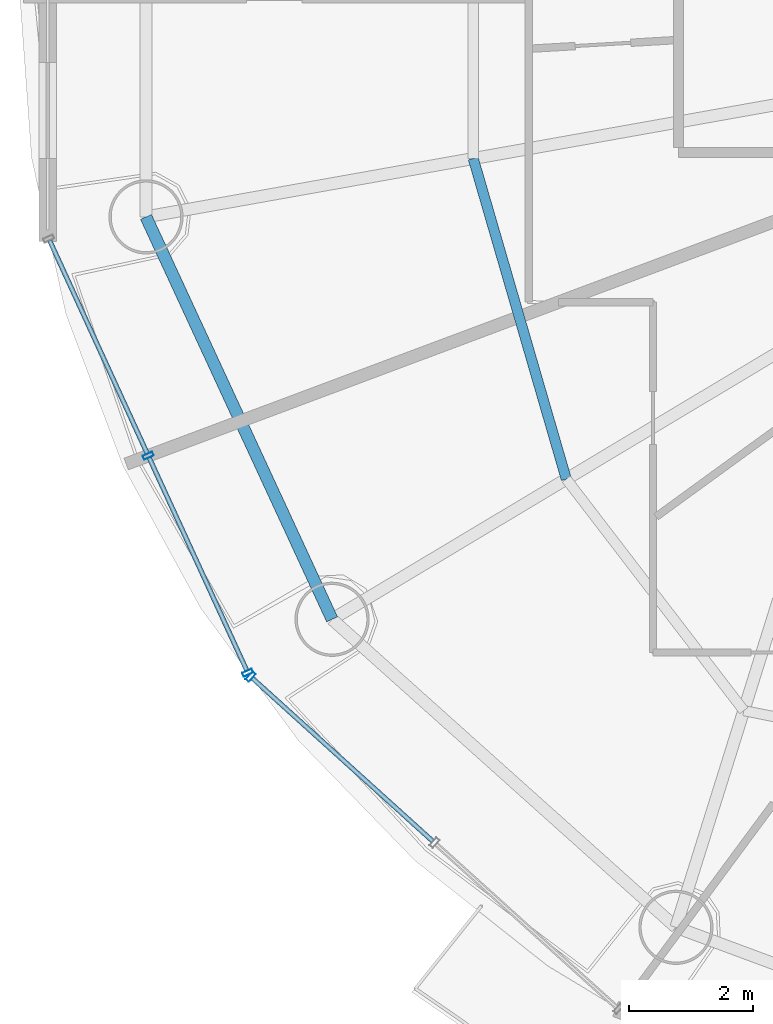
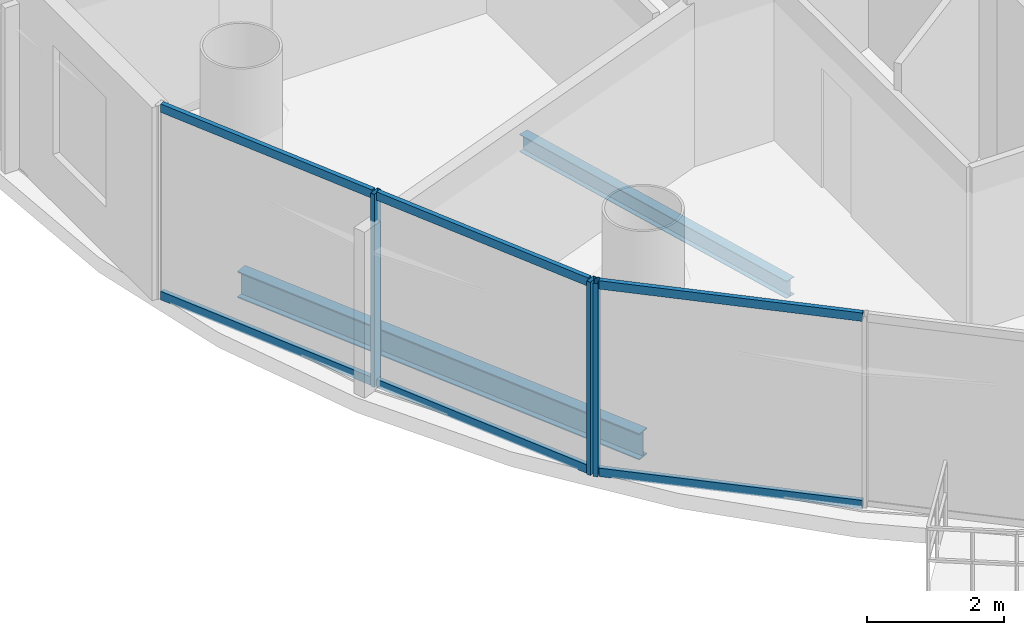
# One storey, part 3 of 26: 9 members, 2 beams, 2 elements without a shape of their own.
"""IFC4 building model written with IfcOpenShell, lengths in metres."""

from ifc_helpers import new_model, si_unit, direction, frame, origin, origin_2d, place, context, subcontext, project, spatial, hollow_rectangle, i_section, extrude, source, transform, mapped, material, material_profile, profile_set, type_object, element, aggregate, save


model = new_model("IFC4")

# Units and contexts
model_context = context("Model", 3, precision=1e-05, world=origin(), true_north=direction((-0.2419218956, 0.970295726276)))
body_context = subcontext(model_context, "Body", "Model", "MODEL_VIEW")
ifc_project = project(units=[si_unit("LENGTHUNIT", "METRE"), si_unit("AREAUNIT", "SQUARE_METRE"), si_unit("VOLUMEUNIT", "CUBIC_METRE"), si_unit("PLANEANGLEUNIT", "RADIAN"), si_unit("MASSUNIT", "GRAM", prefix="KILO")], contexts=[model_context])

# Site, building, storey
site_placement = place(None, origin())
site = spatial("IfcSite", under=ifc_project, at=site_placement, CompositionType="ELEMENT")
building_placement = place(site_placement, origin())
building = spatial("IfcBuilding", under=site, at=building_placement, Name="Cobrevalo Terracotta Tower", CompositionType="ELEMENT")
storey_placement = place(building_placement, frame((0.0, 0.0, 202.300048828125)))
storey = spatial("IfcBuildingStorey", under=building, at=storey_placement, Name="L53", CompositionType="ELEMENT", Elevation=202.300048828125)

# Beams
ifc_material_1 = material(Name="Steel S355", Category="steel")
ifc_material_profile_1 = material_profile(ifc_material_1, i_section(OverallWidth=0.1650390625, OverallDepth=0.31005859375, WebThickness=0.005859375, FlangeThickness=0.009765625, at=origin_2d()), Name="W 310x38.7")
ifc_profile_set_1 = profile_set([ifc_material_profile_1], Name="Steel S355")
beam_type_1 = type_object("IfcBeamType", Name="Structural Joist W 310x38.7 (Steel S355)", PredefinedType="JOIST", material=ifc_profile_set_1)
beam_1_placement = place(storey_placement, frame((23.528564453125, 24.221435546875, -0.420166015625), z_axis=(0.278757705995, -0.960361463902, 0.0), x_axis=(0.960361463902, 0.278757705995, 0.0)))
element("IfcBeam", 1, at=beam_1_placement, inside=storey, type_object=beam_type_1, Name="L53 circumferential secondary floor joist 09", PredefinedType="JOIST", context=body_context, shape_type="SweptSolid", body=[
    extrude(i_section(OverallWidth=0.1650390625, OverallDepth=0.31005859375, WebThickness=0.005859375, FlangeThickness=0.009765625, at=origin_2d()), origin(), (0.0, 0.0, 1.0), 5.396728515625),
])
ifc_material_profile_2 = material_profile(ifc_material_1, i_section(OverallWidth=0.194091796875, OverallDepth=0.468994140625, WebThickness=0.011474609375, FlangeThickness=0.0205078125, at=origin_2d()), Name="W 460x106")
ifc_profile_set_2 = profile_set([ifc_material_profile_2], Name="Steel S355")
beam_type_2 = type_object("IfcBeamType", Name="Structural Spandrel W 460x106 (Steel S355)", PredefinedType="SPANDREL", material=ifc_profile_set_2)
beam_2_placement = place(storey_placement, frame((18.237060546875, 23.278564453125, -0.49951171875), z_axis=(0.419718939129, -0.90765412583, 0.0), x_axis=(0.90765412583, 0.419718939129, 0.0)))
element("IfcBeam", 2, at=beam_2_placement, inside=storey, type_object=beam_type_2, Name="L53 perimeter ring spandrel 09", PredefinedType="SPANDREL", context=body_context, shape_type="SweptSolid", body=[
    extrude(i_section(OverallWidth=0.194091796875, OverallDepth=0.468994140625, WebThickness=0.011474609375, FlangeThickness=0.0205078125, at=origin_2d()), origin(), (0.0, 0.0, 1.0), 7.168701171875),
])

# Curtain wall, members
ifc_material_2 = material(Name="Anodized aluminium", Category="aluminium")
curtain_wall_type = type_object("IfcCurtainWallType", Name="Mid-tower high-wind unitised curtain wall CW-U2", PredefinedType="NOTDEFINED", material=ifc_material_2)
curtain_wall_1_placement = place(storey_placement, origin())
curtain_wall_1 = element("IfcCurtainWall", 3, at=curtain_wall_1_placement, inside=storey, type_object=curtain_wall_type, Name="L53 curtain wall CW-L53-S09", PredefinedType="NOTDEFINED")
ifc_material_profile_3 = material_profile(ifc_material_2, hollow_rectangle(XDim=0.074951171875, YDim=0.14990234375, WallThickness=0.00439453125, at=origin_2d()), Name="CWT 75x150")
ifc_profile_set_3 = profile_set([ifc_material_profile_3], Name="Anodized aluminium")
member_type_1 = type_object("IfcMemberType", Name="Tower unitised aluminium transom 75x150", PredefinedType="USERDEFINED", material=ifc_profile_set_3)
shared_shape_1 = source(origin(), body_context, "Body", "SweptSolid", [
    extrude(hollow_rectangle(XDim=0.074951171875, YDim=0.14990234375, WallThickness=0.00439453125, at=origin_2d()), origin(), (0.0, 0.0, 1.0), 3.780029296875),
])
member_1_placement = place(storey_placement, frame((16.681640625, 22.889892578125, 0.050048828125), z_axis=(0.416705859352, -0.909041377926, 0.0), x_axis=(0.909041377926, 0.416705859352, 0.0)))
member_1 = element("IfcMember", 4, at=member_1_placement, type_object=member_type_1, Name="CW-L53-S09 transom B01-T1", ObjectType="TRANSOM", PredefinedType="USERDEFINED", context=body_context, shape_type="MappedRepresentation", body=[
    mapped(shared_shape_1, transform((0.0, 0.0, 0.0), scale=1.0)),
])
member_2_placement = place(storey_placement, frame((16.681640625, 22.889892578125, 3.385009765625), z_axis=(0.416705859352, -0.909041377926, 0.0), x_axis=(0.909041377926, 0.416705859352, 0.0)))
member_2 = element("IfcMember", 5, at=member_2_placement, type_object=member_type_1, Name="CW-L53-S09 transom B01-T2", ObjectType="TRANSOM", PredefinedType="USERDEFINED", context=body_context, shape_type="MappedRepresentation", body=[
    mapped(shared_shape_1, transform((0.0, 0.0, 0.0), scale=1.0)),
])
member_3_placement = place(storey_placement, frame((18.290283203125, 19.380859375, 0.050048828125), z_axis=(0.416705859352, -0.909041377926, 0.0), x_axis=(0.909041377926, 0.416705859352, 0.0)))
member_3 = element("IfcMember", 6, at=member_3_placement, type_object=member_type_1, Name="CW-L53-S09 transom B02-T1", ObjectType="TRANSOM", PredefinedType="USERDEFINED", context=body_context, shape_type="MappedRepresentation", body=[
    mapped(shared_shape_1, transform((0.0, 0.0, 0.0), scale=1.0)),
])
member_4_placement = place(storey_placement, frame((18.290283203125, 19.380859375, 3.385009765625), z_axis=(0.416705859352, -0.909041377926, 0.0), x_axis=(0.909041377926, 0.416705859352, 0.0)))
member_4 = element("IfcMember", 7, at=member_4_placement, type_object=member_type_1, Name="CW-L53-S09 transom B02-T2", ObjectType="TRANSOM", PredefinedType="USERDEFINED", context=body_context, shape_type="MappedRepresentation", body=[
    mapped(shared_shape_1, transform((0.0, 0.0, 0.0), scale=1.0)),
])

curtain_wall_2_placement = place(storey_placement, origin())
curtain_wall_2 = element("IfcCurtainWall", 8, at=curtain_wall_2_placement, inside=storey, type_object=curtain_wall_type, Name="L53 curtain wall CW-L53-S10", PredefinedType="NOTDEFINED")
shared_shape_2 = source(origin(), body_context, "Body", "SweptSolid", [
    extrude(hollow_rectangle(XDim=0.074951171875, YDim=0.14990234375, WallThickness=0.00439453125, at=origin_2d()), origin(), (0.0, 0.0, 1.0), 3.927490234375),
])
member_5_placement = place(storey_placement, frame((19.958251953125, 15.818359375, 0.050048828125), z_axis=(0.741975952623, -0.670426495396, 0.0), x_axis=(0.670426495396, 0.741975952623, 0.0)))
member_5 = element("IfcMember", 9, at=member_5_placement, type_object=member_type_1, Name="CW-L53-S10 transom B01-T1", ObjectType="TRANSOM", PredefinedType="USERDEFINED", context=body_context, shape_type="MappedRepresentation", body=[
    mapped(shared_shape_2, transform((0.0, 0.0, 0.0), scale=1.0)),
])
member_6_placement = place(storey_placement, frame((19.958251953125, 15.818359375, 3.385009765625), z_axis=(0.741975952623, -0.670426495396, 0.0), x_axis=(0.670426495396, 0.741975952623, 0.0)))
member_6 = element("IfcMember", 10, at=member_6_placement, type_object=member_type_1, Name="CW-L53-S10 transom B01-T2", ObjectType="TRANSOM", PredefinedType="USERDEFINED", context=body_context, shape_type="MappedRepresentation", body=[
    mapped(shared_shape_2, transform((0.0, 0.0, 0.0), scale=1.0)),
])

# Member
ifc_material_profile_4 = material_profile(ifc_material_2, hollow_rectangle(XDim=0.070068359375, YDim=0.169921875, WallThickness=0.00439453125, at=origin_2d()), Name="CWM 70x170")
ifc_profile_set_4 = profile_set([ifc_material_profile_4], Name="Anodized aluminium")
member_type_2 = type_object("IfcMemberType", Name="Upper tower unitised mullion 70x170", PredefinedType="MULLION", material=ifc_profile_set_4)
shared_shape_3 = source(origin(), body_context, "Body", "SweptSolid", [
    extrude(hollow_rectangle(XDim=0.070068359375, YDim=0.169921875, WallThickness=0.00439453125, at=origin_2d()), origin(), (0.0, 0.0, 1.0), 3.43505859375),
])
member_7_placement = place(storey_placement, frame((18.273681640625, 19.417236328125, 0.0), z_axis=(0.0, 0.0, 1.0), x_axis=(0.41672507912, -0.909032567311, 0.0)))
member_7 = element("IfcMember", 11, at=member_7_placement, type_object=member_type_2, Name="CW-L53-S09 vertical mullion 02", PredefinedType="MULLION", context=body_context, shape_type="MappedRepresentation", body=[
    mapped(shared_shape_3, transform((0.0, 0.0, 0.0), scale=1.0)),
])

member_8_placement = place(storey_placement, frame((19.88232421875, 15.908203125, 0.0), z_axis=(0.0, 0.0, 1.0), x_axis=(0.41672507912, -0.909032567311, 0.0)))
member_8 = element("IfcMember", 12, at=member_8_placement, type_object=member_type_2, Name="CW-L53-S09 vertical mullion 03", PredefinedType="MULLION", context=body_context, shape_type="MappedRepresentation", body=[
    mapped(shared_shape_3, transform((0.0, 0.0, 0.0), scale=1.0)),
])

aggregate(curtain_wall_1, [member_7, member_8, member_1, member_2, member_3, member_4])

member_9_placement = place(storey_placement, frame((19.928466796875, 15.84521484375, 0.0), z_axis=(0.0, 0.0, 1.0), x_axis=(0.741987542015, -0.670413668935, 0.0)))
member_9 = element("IfcMember", 13, at=member_9_placement, type_object=member_type_2, Name="CW-L53-S10 vertical mullion 01", PredefinedType="MULLION", context=body_context, shape_type="MappedRepresentation", body=[
    mapped(shared_shape_3, transform((0.0, 0.0, 0.0), scale=1.0)),
])

aggregate(curtain_wall_2, [member_9, member_5, member_6])

save(model, "model.ifc")
